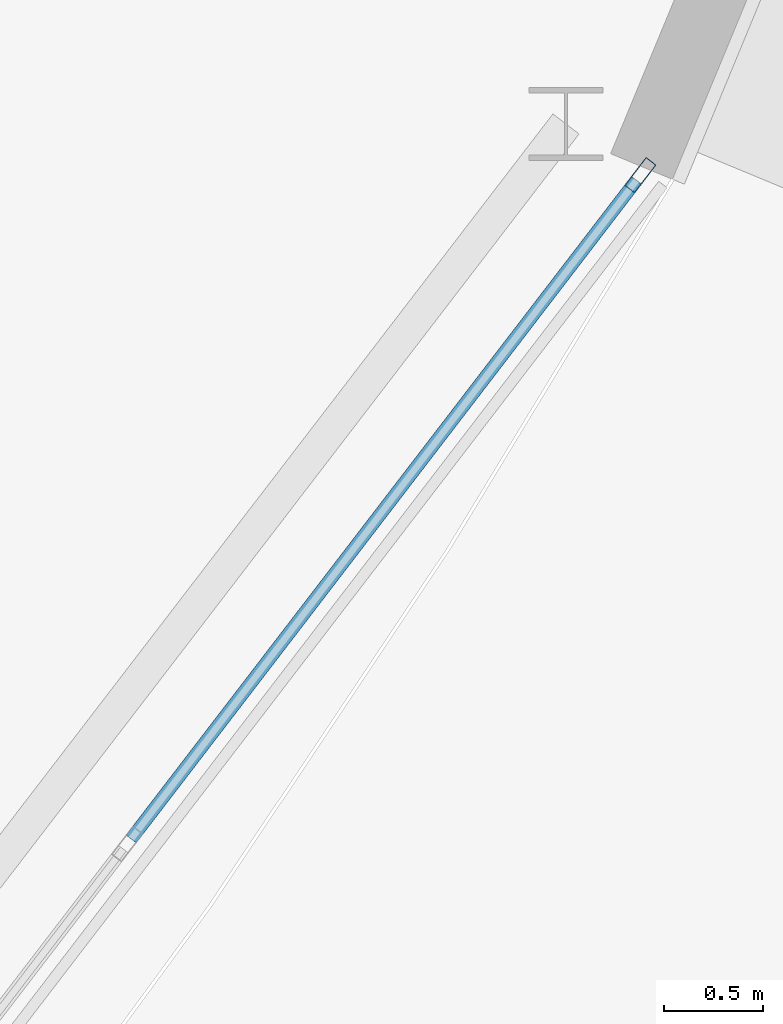
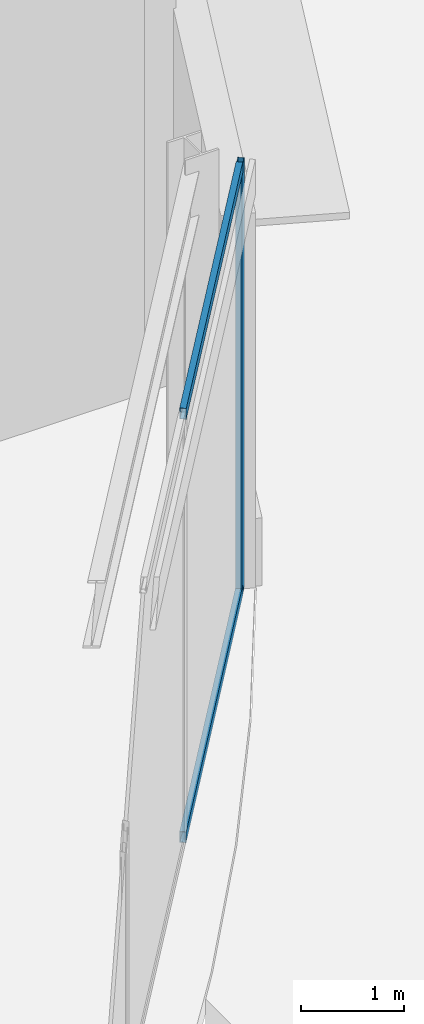
# One storey, part 53 of 168: 3 members, 1 element without a shape of its own.
"""IFC4 building model written with IfcOpenShell, lengths in metres."""

from ifc_helpers import new_model, si_unit, direction, frame, origin, origin_2d, place, context, subcontext, project, spatial, hollow_rectangle, extrude, material, material_profile, profile_set, type_object, element, aggregate, save


model = new_model("IFC4")

# Units and contexts
model_context = context("Model", 3, precision=1e-05, world=origin(), true_north=direction((0.0, 1.0)))
body_context = subcontext(model_context, "Body", "Model", "MODEL_VIEW")
ifc_project = project(units=[si_unit("LENGTHUNIT", "METRE"), si_unit("AREAUNIT", "SQUARE_METRE"), si_unit("VOLUMEUNIT", "CUBIC_METRE"), si_unit("PLANEANGLEUNIT", "RADIAN"), si_unit("MASSUNIT", "GRAM", prefix="KILO")], contexts=[model_context])

# Site, building, storey
site_placement = place(None, origin())
site = spatial("IfcSite", under=ifc_project, at=site_placement, CompositionType="ELEMENT")
building_placement = place(site_placement, origin())
building = spatial("IfcBuilding", under=site, at=building_placement, Name="Almandine Court Research Institute", CompositionType="ELEMENT")
storey_placement = place(building_placement, origin())
storey = spatial("IfcBuildingStorey", under=building, at=storey_placement, Name="L00", CompositionType="ELEMENT", Elevation=0.0)

# Curtain wall, members
ifc_material_1 = material(Name="Unitised Curtain Wall Framing and Solar Glazing", Category="glass")
curtain_wall_type = type_object("IfcCurtainWallType", Name="CW-CWJ-17", PredefinedType="USERDEFINED", material=ifc_material_1)
curtain_wall_placement = place(storey_placement, origin())
curtain_wall = element("IfcCurtainWall", 1, at=curtain_wall_placement, inside=storey, type_object=curtain_wall_type, Name="L00 Stacked-Ring Drum Outer Solar Jali Screen 21", ObjectType="SOLAR JALI SCREEN", PredefinedType="USERDEFINED")
ifc_material_2 = material(Name="Anodised Aluminium AW-6063-T6", Category="aluminium")
ifc_material_profile_1 = material_profile(ifc_material_2, hollow_rectangle(XDim=0.06494140625, YDim=0.179931640625, WallThickness=0.00390625, at=origin_2d()), Name="ALU RHS 65x180x4")
ifc_profile_set_1 = profile_set([ifc_material_profile_1], Name="Anodised Aluminium AW-6063-T6")
member_type_1 = type_object("IfcMemberType", Name="CWMul-65x180", PredefinedType="MULLION", material=ifc_profile_set_1)
member_1_placement = place(storey_placement, frame((129.72509765625, 31.291259765625, 0.0), z_axis=(0.0, 0.0, 1.0), x_axis=(0.793382586046, -0.608723313303, 0.0)))
member_1 = element("IfcMember", 2, at=member_1_placement, type_object=member_type_1, Name="CWJ-17 mullion 1", PredefinedType="MULLION", context=body_context, shape_type="SweptSolid", body=[
    extrude(hollow_rectangle(XDim=0.06494140625, YDim=0.179931640625, WallThickness=0.00390625, at=origin_2d()), origin(), (0.0, 0.0, 1.0), 5.070068359375),
])
ifc_material_profile_2 = material_profile(ifc_material_2, hollow_rectangle(XDim=0.06494140625, YDim=0.1298828125, WallThickness=0.00390625, at=origin_2d()), Name="ALU RHS 65x130x4")
ifc_profile_set_2 = profile_set([ifc_material_profile_2], Name="Anodised Aluminium AW-6063-T6")
member_type_2 = type_object("IfcMemberType", Name="CWTrn-65x130", PredefinedType="NOTDEFINED", material=ifc_profile_set_2)
member_2_placement = place(storey_placement, frame((129.705322265625, 31.265380859375, 0.032470703125), z_axis=(-0.608689308041, -0.793408675449, 0.0), x_axis=(0.793408675449, -0.608689308041, 0.0)))
member_2 = element("IfcMember", 3, at=member_2_placement, type_object=member_type_2, Name="CWJ-17 transom 1.1", ObjectType="TRANSOM", PredefinedType="USERDEFINED", context=body_context, shape_type="SweptSolid", body=[
    extrude(hollow_rectangle(XDim=0.06494140625, YDim=0.1298828125, WallThickness=0.00390625, at=origin_2d()), origin(), (0.0, 0.0, 1.0), 4.195068359375),
])
member_3_placement = place(storey_placement, frame((129.705322265625, 31.265380859375, 5.03759765625), z_axis=(-0.608689308041, -0.793408675449, 0.0), x_axis=(0.793408675449, -0.608689308041, 0.0)))
member_3 = element("IfcMember", 4, at=member_3_placement, type_object=member_type_2, Name="CWJ-17 transom 1.2", ObjectType="TRANSOM", PredefinedType="USERDEFINED", context=body_context, shape_type="SweptSolid", body=[
    extrude(hollow_rectangle(XDim=0.06494140625, YDim=0.1298828125, WallThickness=0.00390625, at=origin_2d()), origin(), (0.0, 0.0, 1.0), 4.195068359375),
])
aggregate(curtain_wall, [member_1, member_2, member_3])

save(model, "model.ifc")
